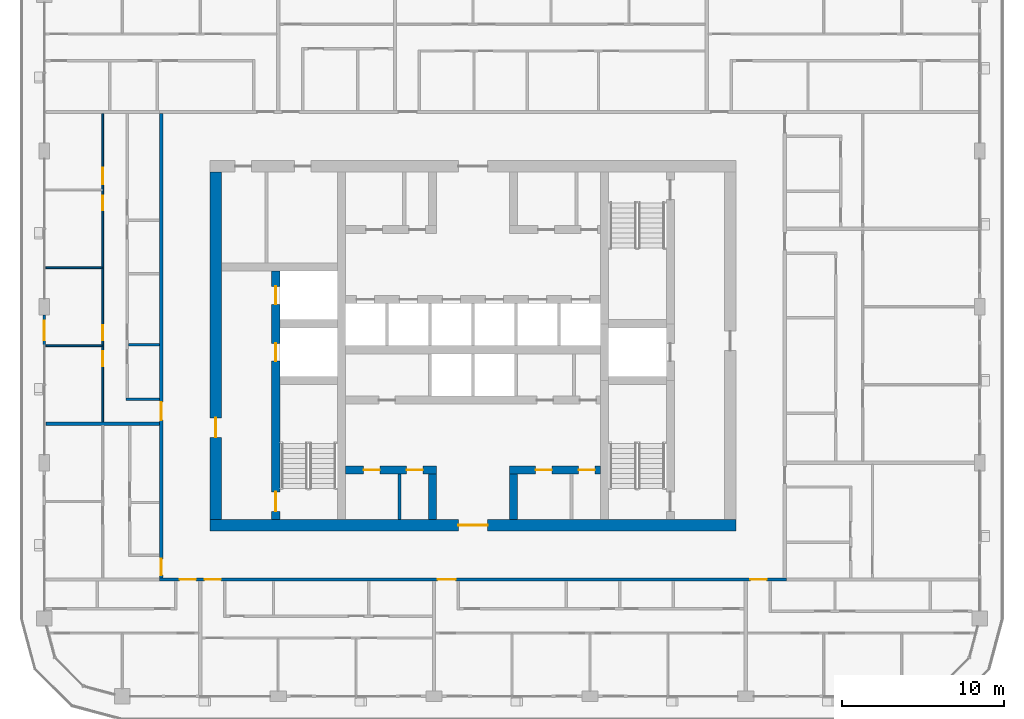
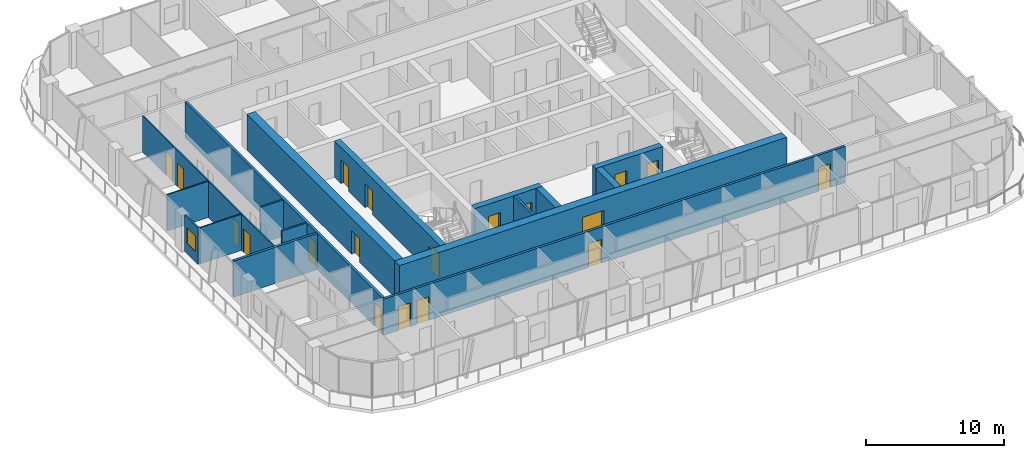
# One storey, part 10 of 23: 19 doors, 17 walls, 1 window, 20 openings.
"""IFC4 building model written with IfcOpenShell, lengths in metres."""

from ifc_helpers import new_model, si_unit, direction, frame, frame_2d, origin, place, context, subcontext, project, spatial, rectangle, extrude, material, layer, layer_set, type_object, element, fill, save


model = new_model("IFC4")

# Units and contexts
model_context = context("Model", 3, precision=1e-05, world=origin(), true_north=direction((0.0, 1.0)))
body_context = subcontext(model_context, "Body", "Model", "MODEL_VIEW")
ifc_project = project(units=[si_unit("LENGTHUNIT", "METRE"), si_unit("AREAUNIT", "SQUARE_METRE"), si_unit("VOLUMEUNIT", "CUBIC_METRE"), si_unit("PLANEANGLEUNIT", "RADIAN"), si_unit("MASSUNIT", "GRAM", prefix="KILO")], contexts=[model_context])

# Site, building, storey
site_placement = place(None, origin())
site = spatial("IfcSite", under=ifc_project, at=site_placement, CompositionType="ELEMENT")
building_placement = place(site_placement, origin())
building = spatial("IfcBuilding", under=site, at=building_placement, Name="Madar Terraces", CompositionType="ELEMENT")
storey_placement = place(building_placement, frame((0.0, 0.0, 226.300048828125)))
storey = spatial("IfcBuildingStorey", under=building, at=storey_placement, Name="L59", CompositionType="ELEMENT", Elevation=226.300048828125)

# Wall, openings, doors
ifc_material_1 = material(Name="Concrete C60/75", Category="concrete")
ifc_layer_1 = layer(ifc_material_1, 0.5)
ifc_layer_set_1 = layer_set([ifc_layer_1], Name="Concrete C60/75 (CIW4 RC wall 500)")
wall_type_1 = type_object("IfcWallType", Name="CIW4 RC wall 500", PredefinedType="SHEAR", material=ifc_layer_set_1)
wall_1_placement = place(storey_placement, frame((19.050048828125, 15.699951171875, 0.0), z_axis=(0.0, 0.0, 1.0), x_axis=(0.0, 1.0, 0.0)))
wall_1 = element("IfcWall", 1, at=wall_1_placement, inside=storey, type_object=wall_type_1, Name="CORE SHAFT WALL", PredefinedType="SHEAR", context=body_context, shape_type="SweptSolid", body=[
    extrude(rectangle(XDim=15.300048828125, YDim=0.5, at=frame_2d((7.64990234375, 0.0))), origin(), (0.0, 0.0, 1.0), 3.199951171875),
])
opening_1_placement = place(wall_1_placement, frame((9.75, 0.0, 0.0)))
opening_1 = element("IfcOpeningElement", 2, at=opening_1_placement, cuts=wall_1, Name="Opening LD", PredefinedType="OPENING", context=body_context, shape_type="SweptSolid", body=[
    extrude(rectangle(XDim=1.10009765625, YDim=2.10009765625, at=frame_2d((0.550048828125, 1.050048828125))), frame((0.0, 0.260009765625, 0.0), z_axis=(0.0, -1.0, 0.0), x_axis=(1.0, 0.0, 0.0)), (0.0, 0.0, 1.0), 0.52001953125),
])
opening_2_placement = place(wall_1_placement, frame((13.25, 0.0, 0.0)))
opening_2 = element("IfcOpeningElement", 3, at=opening_2_placement, cuts=wall_1, Name="Opening LD", PredefinedType="OPENING", context=body_context, shape_type="SweptSolid", body=[
    extrude(rectangle(XDim=1.10009765625, YDim=2.10009765625, at=frame_2d((0.550048828125, 1.050048828125))), frame((0.0, 0.260009765625, 0.0), z_axis=(0.0, -1.0, 0.0), x_axis=(1.0, 0.0, 0.0)), (0.0, 0.0, 1.0), 0.52001953125),
])
opening_3_placement = place(wall_1_placement, frame((0.5, 0.0, 0.0)))
opening_3 = element("IfcOpeningElement", 4, at=opening_3_placement, cuts=wall_1, Name="Opening SD1", PredefinedType="OPENING", context=body_context, shape_type="SweptSolid", body=[
    extrude(rectangle(XDim=1.199951171875, YDim=2.10009765625, at=frame_2d((0.60009765625, 1.050048828125))), frame((0.0, 0.260009765625, 0.0), z_axis=(0.0, -1.0, 0.0), x_axis=(1.0, 0.0, 0.0)), (0.0, 0.0, 1.0), 0.52001953125),
])
ifc_material_2 = material(Name="Stainless steel panel", Category="steel")
door_type_1 = type_object("IfcDoorType", Name="Lift landing door 1100 x 2100", OperationType="DOUBLE_DOOR_SLIDING", PredefinedType="DOOR", material=ifc_material_2)
door_1_placement = place(opening_1_placement, origin())
door_1 = element("IfcDoor", 5, at=door_1_placement, inside=storey, type_object=door_type_1, Name="LIFT LANDING DOOR", OperationType="DOUBLE_DOOR_SLIDING", OverallHeight=2.10009765625, OverallWidth=1.10009765625, PredefinedType="DOOR", context=body_context, shape_type="SweptSolid", body=[
    extrude(rectangle(XDim=1.10009765625, YDim=2.10009765625, at=frame_2d((0.550048828125, 1.050048828125))), frame((0.0, 0.02490234375, 0.0), z_axis=(0.0, -1.0, 0.0), x_axis=(1.0, 0.0, 0.0)), (0.0, 0.0, 1.0), 0.050048828125),
])
fill(opening_1, door_1)
door_2_placement = place(opening_2_placement, origin())
door_2 = element("IfcDoor", 6, at=door_2_placement, inside=storey, type_object=door_type_1, Name="LIFT LANDING DOOR", OperationType="DOUBLE_DOOR_SLIDING", OverallHeight=2.10009765625, OverallWidth=1.10009765625, PredefinedType="DOOR", context=body_context, shape_type="SweptSolid", body=[
    extrude(rectangle(XDim=1.10009765625, YDim=2.10009765625, at=frame_2d((0.550048828125, 1.050048828125))), frame((0.0, 0.02490234375, 0.0), z_axis=(0.0, -1.0, 0.0), x_axis=(1.0, 0.0, 0.0)), (0.0, 0.0, 1.0), 0.050048828125),
])
fill(opening_2, door_2)
ifc_material_3 = material(Name="Steel door leaf", Category="steel")
door_type_2 = type_object("IfcDoorType", Name="Stair door 1200 x 2100", OperationType="NOTDEFINED", PredefinedType="DOOR", material=ifc_material_3)
door_3_placement = place(opening_3_placement, frame((1.199951171875, 0.0, 0.0), z_axis=(0.0, 0.0, 1.0), x_axis=(-1.0, 0.0, 0.0)))
door_3 = element("IfcDoor", 7, at=door_3_placement, inside=storey, type_object=door_type_2, Name="STAIR DOOR", OperationType="SINGLE_SWING_LEFT", OverallHeight=2.10009765625, OverallWidth=1.199951171875, PredefinedType="DOOR", context=body_context, shape_type="SweptSolid", body=[
    extrude(rectangle(XDim=1.199951171875, YDim=2.10009765625, at=frame_2d((0.60009765625, 1.050048828125))), frame((0.0, 0.02490234375, 0.0), z_axis=(0.0, -1.0, 0.0), x_axis=(1.0, 0.0, 0.0)), (0.0, 0.0, 1.0), 0.050048828125),
])
fill(opening_3, door_3)

wall_2_placement = place(storey_placement, frame((23.35009765625, 18.75, 0.0), z_axis=(0.0, 0.0, 1.0), x_axis=(1.0, 0.0, 0.0)))
wall_2 = element("IfcWall", 8, at=wall_2_placement, inside=storey, type_object=wall_type_1, Name="CORE SHAFT WALL", PredefinedType="SHEAR", context=body_context, shape_type="SweptSolid", body=[
    extrude(rectangle(XDim=5.599853515625, YDim=0.5, at=frame_2d((2.7998046875, 0.0))), origin(), (0.0, 0.0, 1.0), 3.199951171875),
])
opening_4_placement = place(wall_2_placement, frame((1.107421875, 0.0, 0.0)))
opening_4 = element("IfcOpeningElement", 9, at=opening_4_placement, cuts=wall_2, Name="Opening KD2", PredefinedType="OPENING", context=body_context, shape_type="SweptSolid", body=[
    extrude(rectangle(XDim=1.0, YDim=2.10009765625, at=frame_2d((0.5, 1.050048828125))), frame((0.0, 0.260009765625, 0.0), z_axis=(0.0, -1.0, 0.0), x_axis=(1.0, 0.0, 0.0)), (0.0, 0.0, 1.0), 0.52001953125),
])
opening_5_placement = place(wall_2_placement, frame((3.757568359375, 0.0, 0.0)))
opening_5 = element("IfcOpeningElement", 10, at=opening_5_placement, cuts=wall_2, Name="Opening KD2", PredefinedType="OPENING", context=body_context, shape_type="SweptSolid", body=[
    extrude(rectangle(XDim=1.0, YDim=2.10009765625, at=frame_2d((0.5, 1.050048828125))), frame((0.0, 0.260009765625, 0.0), z_axis=(0.0, -1.0, 0.0), x_axis=(1.0, 0.0, 0.0)), (0.0, 0.0, 1.0), 0.52001953125),
])
ifc_material_4 = material(Name="Steel door leaf", Category="steel")
door_type_3 = type_object("IfcDoorType", Name="Service room door 1000 x 2100", OperationType="NOTDEFINED", PredefinedType="DOOR", material=ifc_material_4)
door_4_placement = place(opening_4_placement, origin())
door_4 = element("IfcDoor", 11, at=door_4_placement, inside=storey, type_object=door_type_3, Name="SERVICE ROOM DOOR", OperationType="SINGLE_SWING_LEFT", OverallHeight=2.10009765625, OverallWidth=1.0, PredefinedType="DOOR", context=body_context, shape_type="SweptSolid", body=[
    extrude(rectangle(XDim=1.0, YDim=2.10009765625, at=frame_2d((0.5, 1.050048828125))), frame((0.0, 0.02490234375, 0.0), z_axis=(0.0, -1.0, 0.0), x_axis=(1.0, 0.0, 0.0)), (0.0, 0.0, 1.0), 0.050048828125),
])
fill(opening_4, door_4)
door_5_placement = place(opening_5_placement, origin())
door_5 = element("IfcDoor", 12, at=door_5_placement, inside=storey, type_object=door_type_3, Name="SERVICE ROOM DOOR", OperationType="SINGLE_SWING_RIGHT", OverallHeight=2.10009765625, OverallWidth=1.0, PredefinedType="DOOR", context=body_context, shape_type="SweptSolid", body=[
    extrude(rectangle(XDim=1.0, YDim=2.10009765625, at=frame_2d((0.5, 1.050048828125))), frame((0.0, 0.02490234375, 0.0), z_axis=(0.0, -1.0, 0.0), x_axis=(1.0, 0.0, 0.0)), (0.0, 0.0, 1.0), 0.050048828125),
])
fill(opening_5, door_5)

wall_3_placement = place(storey_placement, frame((33.449951171875, 18.75, 0.0), z_axis=(0.0, 0.0, 1.0), x_axis=(1.0, 0.0, 0.0)))
wall_3 = element("IfcWall", 13, at=wall_3_placement, inside=storey, type_object=wall_type_1, Name="CORE SHAFT WALL", PredefinedType="SHEAR", context=body_context, shape_type="SweptSolid", body=[
    extrude(rectangle(XDim=5.60009765625, YDim=0.5, at=frame_2d((2.800048828125, 0.0))), origin(), (0.0, 0.0, 1.0), 3.199951171875),
])
opening_6_placement = place(wall_3_placement, frame((1.607421875, 0.0, 0.0)))
opening_6 = element("IfcOpeningElement", 14, at=opening_6_placement, cuts=wall_3, Name="Opening KD2", PredefinedType="OPENING", context=body_context, shape_type="SweptSolid", body=[
    extrude(rectangle(XDim=1.0, YDim=2.10009765625, at=frame_2d((0.5, 1.050048828125))), frame((0.0, 0.260009765625, 0.0), z_axis=(0.0, -1.0, 0.0), x_axis=(1.0, 0.0, 0.0)), (0.0, 0.0, 1.0), 0.52001953125),
])
opening_7_placement = place(wall_3_placement, frame((4.257568359375, 0.0, 0.0)))
opening_7 = element("IfcOpeningElement", 15, at=opening_7_placement, cuts=wall_3, Name="Opening KD2", PredefinedType="OPENING", context=body_context, shape_type="SweptSolid", body=[
    extrude(rectangle(XDim=1.0, YDim=2.10009765625, at=frame_2d((0.5, 1.050048828125))), frame((0.0, 0.260009765625, 0.0), z_axis=(0.0, -1.0, 0.0), x_axis=(1.0, 0.0, 0.0)), (0.0, 0.0, 1.0), 0.52001953125),
])
door_6_placement = place(opening_6_placement, origin())
door_6 = element("IfcDoor", 16, at=door_6_placement, inside=storey, type_object=door_type_3, Name="SERVICE ROOM DOOR", OperationType="SINGLE_SWING_LEFT", OverallHeight=2.10009765625, OverallWidth=1.0, PredefinedType="DOOR", context=body_context, shape_type="SweptSolid", body=[
    extrude(rectangle(XDim=1.0, YDim=2.10009765625, at=frame_2d((0.5, 1.050048828125))), frame((0.0, 0.02490234375, 0.0), z_axis=(0.0, -1.0, 0.0), x_axis=(1.0, 0.0, 0.0)), (0.0, 0.0, 1.0), 0.050048828125),
])
fill(opening_6, door_6)
door_7_placement = place(opening_7_placement, origin())
door_7 = element("IfcDoor", 17, at=door_7_placement, inside=storey, type_object=door_type_3, Name="SERVICE ROOM DOOR", OperationType="SINGLE_SWING_RIGHT", OverallHeight=2.10009765625, OverallWidth=1.0, PredefinedType="DOOR", context=body_context, shape_type="SweptSolid", body=[
    extrude(rectangle(XDim=1.0, YDim=2.10009765625, at=frame_2d((0.5, 1.050048828125))), frame((0.0, 0.02490234375, 0.0), z_axis=(0.0, -1.0, 0.0), x_axis=(1.0, 0.0, 0.0)), (0.0, 0.0, 1.0), 0.050048828125),
])
fill(opening_7, door_7)

# Walls
for number, where, z_axis, x_axis, name in (
    (18, (28.699951171875, 15.699951171875, 0.0), (0.0, 0.0, 1.0), (0.0, 1.0, 0.0), "CORE SHAFT WALL"),
    (19, (33.699951171875, 15.699951171875, 0.0), (0.0, 0.0, 1.0), (0.0, 1.0, 0.0), "CORE SHAFT WALL"),
):
    element("IfcWall", number, at=place(storey_placement, frame(where, z_axis=z_axis, x_axis=x_axis)), inside=storey, type_object=wall_type_1, Name=name, PredefinedType="SHEAR", context=body_context, shape_type="SweptSolid", body=[
        extrude(rectangle(XDim=2.800048828125, YDim=0.5, at=frame_2d((1.39990234375, 0.0))), origin(), (0.0, 0.0, 1.0), 3.199951171875),
    ])

# Wall, opening, door
ifc_material_5 = material(Name="Concrete C60/75", Category="concrete")
ifc_layer_2 = layer(ifc_material_5, 0.699951171875)
ifc_layer_set_2 = layer_set([ifc_layer_2], Name="Concrete C60/75 (CRW4 RC wall 700)")
wall_type_2 = type_object("IfcWallType", Name="CRW4 RC wall 700", PredefinedType="SHEAR", material=ifc_layer_set_2)
wall_4_placement = place(storey_placement, frame((15.0, 15.35009765625, 0.0), z_axis=(0.0, 0.0, 1.0), x_axis=(1.0, 0.0, 0.0)))
wall_4 = element("IfcWall", 20, at=wall_4_placement, inside=storey, type_object=wall_type_2, Name="CORE OUTER WALL", PredefinedType="SHEAR", context=body_context, shape_type="SweptSolid", body=[
    extrude(rectangle(XDim=32.39990234375, YDim=0.699951171875, at=frame_2d((16.199951171875, 0.0))), origin(), (0.0, 0.0, 1.0), 3.199951171875),
])
opening_8_placement = place(wall_4_placement, frame((15.300048828125, 0.0, 0.0)))
opening_8 = element("IfcOpeningElement", 21, at=opening_8_placement, cuts=wall_4, Name="Opening KD1", PredefinedType="OPENING", context=body_context, shape_type="SweptSolid", body=[
    extrude(rectangle(XDim=1.800048828125, YDim=2.10009765625, at=frame_2d((0.89990234375, 1.050048828125))), frame((0.0, 0.35986328125, 0.0), z_axis=(0.0, -1.0, 0.0), x_axis=(1.0, 0.0, 0.0)), (0.0, 0.0, 1.0), 0.719970703125),
])
ifc_material_6 = material(Name="Steel door leaf", Category="steel")
door_type_4 = type_object("IfcDoorType", Name="Lobby door pair 1800 x 2100", OperationType="DOUBLE_DOOR_SINGLE_SWING", PredefinedType="DOOR", material=ifc_material_6)
door_8_placement = place(opening_8_placement, frame((1.800048828125, 0.0, 0.0), z_axis=(0.0, 0.0, 1.0), x_axis=(-1.0, 0.0, 0.0)))
door_8 = element("IfcDoor", 22, at=door_8_placement, inside=storey, type_object=door_type_4, Name="LIFT LOBBY DOOR", OperationType="DOUBLE_DOOR_SINGLE_SWING", OverallHeight=2.10009765625, OverallWidth=1.800048828125, PredefinedType="DOOR", context=body_context, shape_type="SweptSolid", body=[
    extrude(rectangle(XDim=1.800048828125, YDim=2.10009765625, at=frame_2d((0.89990234375, 1.050048828125))), frame((0.0, 0.02490234375, 0.0), z_axis=(0.0, -1.0, 0.0), x_axis=(1.0, 0.0, 0.0)), (0.0, 0.0, 1.0), 0.050048828125),
])
fill(opening_8, door_8)

wall_5_placement = place(storey_placement, frame((15.35009765625, 15.699951171875, 0.0), z_axis=(0.0, 0.0, 1.0), x_axis=(0.0, 1.0, 0.0)))
wall_5 = element("IfcWall", 23, at=wall_5_placement, inside=storey, type_object=wall_type_2, Name="CORE OUTER WALL", PredefinedType="SHEAR", context=body_context, shape_type="SweptSolid", body=[
    extrude(rectangle(XDim=21.400146484375, YDim=0.699951171875, at=frame_2d((10.7001953125, 0.0))), origin(), (0.0, 0.0, 1.0), 3.199951171875),
])
opening_9_placement = place(wall_5_placement, frame((5.06005859375, 0.0, 0.0)))
opening_9 = element("IfcOpeningElement", 24, at=opening_9_placement, cuts=wall_5, Name="Opening SD1", PredefinedType="OPENING", context=body_context, shape_type="SweptSolid", body=[
    extrude(rectangle(XDim=1.199951171875, YDim=2.10009765625, at=frame_2d((0.60009765625, 1.050048828125))), frame((0.0, 0.35986328125, 0.0), z_axis=(0.0, -1.0, 0.0), x_axis=(1.0, 0.0, 0.0)), (0.0, 0.0, 1.0), 0.719970703125),
])
door_9_placement = place(opening_9_placement, frame((1.199951171875, 0.0, 0.0), z_axis=(0.0, 0.0, 1.0), x_axis=(-1.0, 0.0, 0.0)))
door_9 = element("IfcDoor", 25, at=door_9_placement, inside=storey, type_object=door_type_2, Name="STAIR DOOR", OperationType="SINGLE_SWING_RIGHT", OverallHeight=2.10009765625, OverallWidth=1.199951171875, PredefinedType="DOOR", context=body_context, shape_type="SweptSolid", body=[
    extrude(rectangle(XDim=1.199951171875, YDim=2.10009765625, at=frame_2d((0.60009765625, 1.050048828125))), frame((0.0, 0.02490234375, 0.0), z_axis=(0.0, -1.0, 0.0), x_axis=(1.0, 0.0, 0.0)), (0.0, 0.0, 1.0), 0.050048828125),
])
fill(opening_9, door_9)

# Wall
ifc_material_7 = material(Name="Masonry blockwork", Category="masonry")
ifc_layer_3 = layer(ifc_material_7, 0.199951171875)
ifc_layer_set_3 = layer_set([ifc_layer_3], Name="Core partition 200 blockwork")
wall_type_3 = type_object("IfcWallType", Name="Core partition 200 blockwork", PredefinedType="PARTITIONING", material=ifc_layer_set_3)
wall_6_placement = place(storey_placement, frame((26.6650390625, 15.699951171875, 0.0), z_axis=(0.0, 0.0, 1.0), x_axis=(0.0, 1.0, 0.0)))
element("IfcWall", 26, at=wall_6_placement, inside=storey, type_object=wall_type_3, Name="SERVICE ROOM PARTITION", PredefinedType="PARTITIONING", context=body_context, shape_type="SweptSolid", body=[
    extrude(rectangle(XDim=2.800048828125, YDim=0.199951171875, at=frame_2d((1.39990234375, 0.0))), origin(), (0.0, 0.0, 1.0), 3.199951171875),
])

# Wall, opening, window
ifc_material_8 = material(Name="Aluminium composite panel, black, over insulated backing", Category="aluminium")
ifc_layer_4 = layer(ifc_material_8, 0.14990234375)
ifc_layer_set_4 = layer_set([ifc_layer_4], Name="Facade bay panel 150")
wall_type_4 = type_object("IfcWallType", Name="Facade bay panel 150", PredefinedType="SOLIDWALL", material=ifc_layer_set_4)
wall_7_placement = place(storey_placement, frame((4.800048828125, 28.300048828125, 0.0), z_axis=(0.0, 0.0, 1.0), x_axis=(0.0, -1.0, 0.0)))
wall_7 = element("IfcWall", 27, at=wall_7_placement, inside=storey, type_object=wall_type_4, Name="Facade bay panel", PredefinedType="SOLIDWALL", context=body_context, shape_type="SweptSolid", body=[
    extrude(rectangle(XDim=1.900146484375, YDim=0.14990234375, at=frame_2d((0.9501953125, 0.0))), origin(), (0.0, 0.0, 1.0), 3.199951171875),
])
opening_10_placement = place(wall_7_placement, frame((0.35009765625, 0.0, 0.89990234375)))
opening_10 = element("IfcOpeningElement", 28, at=opening_10_placement, cuts=wall_7, Name="Opening W1", PredefinedType="OPENING", context=body_context, shape_type="SweptSolid", body=[
    extrude(rectangle(XDim=1.199951171875, YDim=1.39990234375, at=frame_2d((0.60009765625, 0.699951171875))), frame((0.0, 0.0849609375, 0.0), z_axis=(0.0, -1.0, 0.0), x_axis=(1.0, 0.0, 0.0)), (0.0, 0.0, 1.0), 0.169921875),
])
ifc_material_9 = material(Name="Glass, clear, with black aluminium frame", Category="aluminium")
window_type = type_object("IfcWindowType", Name="Vent window 1200 x 1400", PartitioningType="SINGLE_PANEL", PredefinedType="WINDOW", material=ifc_material_9)
window_placement = place(opening_10_placement, origin())
window = element("IfcWindow", 29, at=window_placement, inside=storey, type_object=window_type, Name="Operable vent window", OverallHeight=1.39990234375, OverallWidth=1.199951171875, PartitioningType="SINGLE_PANEL", PredefinedType="WINDOW", context=body_context, shape_type="SweptSolid", body=[
    extrude(rectangle(XDim=1.199951171875, YDim=1.39990234375, at=frame_2d((0.60009765625, 0.699951171875))), frame((0.0, 0.030029296875, 0.0), z_axis=(0.0, -1.0, 0.0), x_axis=(1.0, 0.0, 0.0)), (0.0, 0.0, 1.0), 0.06005859375),
])
fill(opening_10, window)

# Walls
ifc_material_10 = material(Name="Gypsum board on steel studs", Category="steel")
ifc_layer_5 = layer(ifc_material_10, 0.10009765625)
ifc_layer_set_5 = layer_set([ifc_layer_5], Name="Flat partition 100")
wall_type_5 = type_object("IfcWallType", Name="Flat partition 100", PredefinedType="PARTITIONING", material=ifc_layer_set_5)
for number, where, z_axis, x_axis, name in (
    (30, (8.35009765625, 26.39990234375, 0.0), (0.0, 0.0, 1.0), (-1.0, 0.0, 0.0), "Flat partition 100"),
    (31, (8.35009765625, 31.199951171875, 0.0), (0.0, 0.0, 1.0), (-1.0, 0.0, 0.0), "Flat partition 100"),
):
    element("IfcWall", number, at=place(storey_placement, frame(where, z_axis=z_axis, x_axis=x_axis)), inside=storey, type_object=wall_type_5, Name=name, PredefinedType="PARTITIONING", context=body_context, shape_type="SweptSolid", body=[
        extrude(rectangle(XDim=3.4501953125, YDim=0.10009765625, at=frame_2d((1.72509765625, 0.0))), origin(), (0.0, 0.0, 1.0), 3.199951171875),
    ])

# Wall, openings, doors
wall_8_placement = place(storey_placement, frame((8.39990234375, 21.699951171875, 0.0), z_axis=(0.0, 0.0, 1.0), x_axis=(0.0, 1.0, 0.0)))
wall_8 = element("IfcWall", 32, at=wall_8_placement, inside=storey, type_object=wall_type_5, Name="Flat partition 100", PredefinedType="PARTITIONING", context=body_context, shape_type="SweptSolid", body=[
    extrude(rectangle(XDim=19.0, YDim=0.10009765625, at=frame_2d((9.5, 0.0))), origin(), (0.0, 0.0, 1.0), 3.199951171875),
])
opening_11_placement = place(wall_8_placement, frame((3.449951171875, 0.0, 0.0)))
opening_11 = element("IfcOpeningElement", 33, at=opening_11_placement, cuts=wall_8, Name="Opening D2", PredefinedType="OPENING", context=body_context, shape_type="SweptSolid", body=[
    extrude(rectangle(XDim=0.89990234375, YDim=2.10009765625, at=frame_2d((0.449951171875, 1.050048828125))), frame((0.0, 0.06005859375, 0.0), z_axis=(0.0, -1.0, 0.0), x_axis=(1.0, 0.0, 0.0)), (0.0, 0.0, 1.0), 0.1201171875),
])
opening_12_placement = place(wall_8_placement, frame((5.050048828125, 0.0, 0.0)))
opening_12 = element("IfcOpeningElement", 34, at=opening_12_placement, cuts=wall_8, Name="Opening D2", PredefinedType="OPENING", context=body_context, shape_type="SweptSolid", body=[
    extrude(rectangle(XDim=0.89990234375, YDim=2.10009765625, at=frame_2d((0.449951171875, 1.050048828125))), frame((0.0, 0.06005859375, 0.0), z_axis=(0.0, -1.0, 0.0), x_axis=(1.0, 0.0, 0.0)), (0.0, 0.0, 1.0), 0.1201171875),
])
opening_13_placement = place(wall_8_placement, frame((13.050048828125, 0.0, 0.0)))
opening_13 = element("IfcOpeningElement", 35, at=opening_13_placement, cuts=wall_8, Name="Opening D2", PredefinedType="OPENING", context=body_context, shape_type="SweptSolid", body=[
    extrude(rectangle(XDim=0.89990234375, YDim=2.10009765625, at=frame_2d((0.449951171875, 1.050048828125))), frame((0.0, 0.06005859375, 0.0), z_axis=(0.0, -1.0, 0.0), x_axis=(1.0, 0.0, 0.0)), (0.0, 0.0, 1.0), 0.1201171875),
])
opening_14_placement = place(wall_8_placement, frame((14.64990234375, 0.0, 0.0)))
opening_14 = element("IfcOpeningElement", 36, at=opening_14_placement, cuts=wall_8, Name="Opening D3", PredefinedType="OPENING", context=body_context, shape_type="SweptSolid", body=[
    extrude(rectangle(XDim=1.0, YDim=2.10009765625, at=frame_2d((0.5, 1.050048828125))), frame((0.0, 0.06005859375, 0.0), z_axis=(0.0, -1.0, 0.0), x_axis=(1.0, 0.0, 0.0)), (0.0, 0.0, 1.0), 0.1201171875),
])
ifc_material_11 = material(Name="Timber door leaf", Category="wood")
door_type_5 = type_object("IfcDoorType", Name="Flat living room door 1000", OperationType="NOTDEFINED", PredefinedType="DOOR", material=ifc_material_11)
door_10_placement = place(opening_14_placement, origin())
door_10 = element("IfcDoor", 37, at=door_10_placement, inside=storey, type_object=door_type_5, Name="Flat living room door 1000", OperationType="SINGLE_SWING_LEFT", OverallHeight=2.10009765625, OverallWidth=1.0, PredefinedType="DOOR", context=body_context, shape_type="SweptSolid", body=[
    extrude(rectangle(XDim=1.0, YDim=2.10009765625, at=frame_2d((0.5, 1.050048828125))), frame((0.0, 0.02490234375, 0.0), z_axis=(0.0, -1.0, 0.0), x_axis=(1.0, 0.0, 0.0)), (0.0, 0.0, 1.0), 0.050048828125),
])
fill(opening_14, door_10)
ifc_material_12 = material(Name="Timber door leaf", Category="wood")
door_type_6 = type_object("IfcDoorType", Name="Flat room door 900", OperationType="NOTDEFINED", PredefinedType="DOOR", material=ifc_material_12)
door_11_placement = place(opening_11_placement, origin())
door_11 = element("IfcDoor", 38, at=door_11_placement, inside=storey, type_object=door_type_6, Name="Flat room door 900", OperationType="SINGLE_SWING_RIGHT", OverallHeight=2.10009765625, OverallWidth=0.89990234375, PredefinedType="DOOR", context=body_context, shape_type="SweptSolid", body=[
    extrude(rectangle(XDim=0.89990234375, YDim=2.10009765625, at=frame_2d((0.449951171875, 1.050048828125))), frame((0.0, 0.02490234375, 0.0), z_axis=(0.0, -1.0, 0.0), x_axis=(1.0, 0.0, 0.0)), (0.0, 0.0, 1.0), 0.050048828125),
])
fill(opening_11, door_11)
door_12_placement = place(opening_12_placement, origin())
door_12 = element("IfcDoor", 39, at=door_12_placement, inside=storey, type_object=door_type_6, Name="Flat room door 900", OperationType="SINGLE_SWING_LEFT", OverallHeight=2.10009765625, OverallWidth=0.89990234375, PredefinedType="DOOR", context=body_context, shape_type="SweptSolid", body=[
    extrude(rectangle(XDim=0.89990234375, YDim=2.10009765625, at=frame_2d((0.449951171875, 1.050048828125))), frame((0.0, 0.02490234375, 0.0), z_axis=(0.0, -1.0, 0.0), x_axis=(1.0, 0.0, 0.0)), (0.0, 0.0, 1.0), 0.050048828125),
])
fill(opening_12, door_12)
door_13_placement = place(opening_13_placement, origin())
door_13 = element("IfcDoor", 40, at=door_13_placement, inside=storey, type_object=door_type_6, Name="Flat room door 900", OperationType="SINGLE_SWING_RIGHT", OverallHeight=2.10009765625, OverallWidth=0.89990234375, PredefinedType="DOOR", context=body_context, shape_type="SweptSolid", body=[
    extrude(rectangle(XDim=0.89990234375, YDim=2.10009765625, at=frame_2d((0.449951171875, 1.050048828125))), frame((0.0, 0.02490234375, 0.0), z_axis=(0.0, -1.0, 0.0), x_axis=(1.0, 0.0, 0.0)), (0.0, 0.0, 1.0), 0.050048828125),
])
fill(opening_13, door_13)

ifc_material_13 = material(Name="Lightweight blockwork", Category="masonry")
ifc_layer_6 = layer(ifc_material_13, 0.199951171875)
ifc_layer_set_6 = layer_set([ifc_layer_6], Name="Flat party and entrance wall 200")
wall_type_6 = type_object("IfcWallType", Name="Flat party and entrance wall 200", PredefinedType="PARTITIONING", material=ifc_layer_set_6)
wall_9_placement = place(storey_placement, frame((50.5, 12.0, 0.0), z_axis=(0.0, 0.0, 1.0), x_axis=(-1.0, 0.0, 0.0)))
wall_9 = element("IfcWall", 41, at=wall_9_placement, inside=storey, type_object=wall_type_6, Name="Flat party and entrance wall 200", PredefinedType="PARTITIONING", context=body_context, shape_type="SweptSolid", body=[
    extrude(rectangle(XDim=38.60009765625, YDim=0.199951171875, at=frame_2d((19.300048828125, 0.0))), origin(), (0.0, 0.0, 1.0), 3.199951171875),
])
opening_15_placement = place(wall_9_placement, frame((36.375, 0.0, 0.0)))
opening_15 = element("IfcOpeningElement", 42, at=opening_15_placement, cuts=wall_9, Name="Opening D1", PredefinedType="OPENING", context=body_context, shape_type="SweptSolid", body=[
    extrude(rectangle(XDim=1.0, YDim=2.10009765625, at=frame_2d((0.5, 1.050048828125))), frame((0.0, 0.10986328125, 0.0), z_axis=(0.0, -1.0, 0.0), x_axis=(1.0, 0.0, 0.0)), (0.0, 0.0, 1.0), 0.219970703125),
])
opening_16_placement = place(wall_9_placement, frame((34.824951171875, 0.0, 0.0)))
opening_16 = element("IfcOpeningElement", 43, at=opening_16_placement, cuts=wall_9, Name="Opening D1", PredefinedType="OPENING", context=body_context, shape_type="SweptSolid", body=[
    extrude(rectangle(XDim=1.0, YDim=2.10009765625, at=frame_2d((0.5, 1.050048828125))), frame((0.0, 0.10986328125, 0.0), z_axis=(0.0, -1.0, 0.0), x_axis=(1.0, 0.0, 0.0)), (0.0, 0.0, 1.0), 0.219970703125),
])
opening_17_placement = place(wall_9_placement, frame((20.375, 0.0, 0.0)))
opening_17 = element("IfcOpeningElement", 44, at=opening_17_placement, cuts=wall_9, Name="Opening D6", PredefinedType="OPENING", context=body_context, shape_type="SweptSolid", body=[
    extrude(rectangle(XDim=1.10009765625, YDim=2.10009765625, at=frame_2d((0.550048828125, 1.050048828125))), frame((0.0, 0.10986328125, 0.0), z_axis=(0.0, -1.0, 0.0), x_axis=(1.0, 0.0, 0.0)), (0.0, 0.0, 1.0), 0.219970703125),
])
opening_18_placement = place(wall_9_placement, frame((1.22509765625, 0.0, 0.0)))
opening_18 = element("IfcOpeningElement", 45, at=opening_18_placement, cuts=wall_9, Name="Opening D1", PredefinedType="OPENING", context=body_context, shape_type="SweptSolid", body=[
    extrude(rectangle(XDim=1.0, YDim=2.10009765625, at=frame_2d((0.5, 1.050048828125))), frame((0.0, 0.10986328125, 0.0), z_axis=(0.0, -1.0, 0.0), x_axis=(1.0, 0.0, 0.0)), (0.0, 0.0, 1.0), 0.219970703125),
])
ifc_material_14 = material(Name="Timber fire door leaf", Category="wood")
door_type_7 = type_object("IfcDoorType", Name="Flat entrance door 1000 FD30S", OperationType="NOTDEFINED", PredefinedType="DOOR", material=ifc_material_14)
door_14_placement = place(opening_15_placement, origin())
door_14 = element("IfcDoor", 46, at=door_14_placement, inside=storey, type_object=door_type_7, Name="Flat entrance door 1000 FD30S", OperationType="SINGLE_SWING_LEFT", OverallHeight=2.10009765625, OverallWidth=1.0, PredefinedType="DOOR", context=body_context, shape_type="SweptSolid", body=[
    extrude(rectangle(XDim=1.0, YDim=2.10009765625, at=frame_2d((0.5, 1.050048828125))), frame((0.0, 0.02490234375, 0.0), z_axis=(0.0, -1.0, 0.0), x_axis=(1.0, 0.0, 0.0)), (0.0, 0.0, 1.0), 0.050048828125),
])
fill(opening_15, door_14)
door_15_placement = place(opening_16_placement, origin())
door_15 = element("IfcDoor", 47, at=door_15_placement, inside=storey, type_object=door_type_7, Name="Flat entrance door 1000 FD30S", OperationType="SINGLE_SWING_RIGHT", OverallHeight=2.10009765625, OverallWidth=1.0, PredefinedType="DOOR", context=body_context, shape_type="SweptSolid", body=[
    extrude(rectangle(XDim=1.0, YDim=2.10009765625, at=frame_2d((0.5, 1.050048828125))), frame((0.0, 0.02490234375, 0.0), z_axis=(0.0, -1.0, 0.0), x_axis=(1.0, 0.0, 0.0)), (0.0, 0.0, 1.0), 0.050048828125),
])
fill(opening_16, door_15)
door_16_placement = place(opening_18_placement, origin())
door_16 = element("IfcDoor", 48, at=door_16_placement, inside=storey, type_object=door_type_7, Name="Flat entrance door 1000 FD30S", OperationType="SINGLE_SWING_RIGHT", OverallHeight=2.10009765625, OverallWidth=1.0, PredefinedType="DOOR", context=body_context, shape_type="SweptSolid", body=[
    extrude(rectangle(XDim=1.0, YDim=2.10009765625, at=frame_2d((0.5, 1.050048828125))), frame((0.0, 0.02490234375, 0.0), z_axis=(0.0, -1.0, 0.0), x_axis=(1.0, 0.0, 0.0)), (0.0, 0.0, 1.0), 0.050048828125),
])
fill(opening_18, door_16)
ifc_material_15 = material(Name="Timber fire door leaf", Category="wood")
door_type_8 = type_object("IfcDoorType", Name="Flat entrance door 1100 FD30S", OperationType="NOTDEFINED", PredefinedType="DOOR", material=ifc_material_15)
door_17_placement = place(opening_17_placement, origin())
door_17 = element("IfcDoor", 49, at=door_17_placement, inside=storey, type_object=door_type_8, Name="Flat entrance door 1100 FD30S", OperationType="SINGLE_SWING_RIGHT", OverallHeight=2.10009765625, OverallWidth=1.10009765625, PredefinedType="DOOR", context=body_context, shape_type="SweptSolid", body=[
    extrude(rectangle(XDim=1.10009765625, YDim=2.10009765625, at=frame_2d((0.550048828125, 1.050048828125))), frame((0.0, 0.02490234375, 0.0), z_axis=(0.0, -1.0, 0.0), x_axis=(1.0, 0.0, 0.0)), (0.0, 0.0, 1.0), 0.050048828125),
])
fill(opening_17, door_17)

wall_10_placement = place(storey_placement, frame((12.0, 12.10009765625, 0.0), z_axis=(0.0, 0.0, 1.0), x_axis=(0.0, 1.0, 0.0)))
wall_10 = element("IfcWall", 50, at=wall_10_placement, inside=storey, type_object=wall_type_6, Name="Flat party and entrance wall 200", PredefinedType="PARTITIONING", context=body_context, shape_type="SweptSolid", body=[
    extrude(rectangle(XDim=28.599853515625, YDim=0.199951171875, at=frame_2d((14.2998046875, 0.0))), origin(), (0.0, 0.0, 1.0), 3.199951171875),
])
opening_19_placement = place(wall_10_placement, frame((9.72509765625, 0.0, 0.0)))
opening_19 = element("IfcOpeningElement", 51, at=opening_19_placement, cuts=wall_10, Name="Opening D6", PredefinedType="OPENING", context=body_context, shape_type="SweptSolid", body=[
    extrude(rectangle(XDim=1.10009765625, YDim=2.10009765625, at=frame_2d((0.550048828125, 1.050048828125))), frame((0.0, 0.10986328125, 0.0), z_axis=(0.0, -1.0, 0.0), x_axis=(1.0, 0.0, 0.0)), (0.0, 0.0, 1.0), 0.219970703125),
])
opening_20_placement = place(wall_10_placement, frame((0.175048828125, 0.0, 0.0)))
opening_20 = element("IfcOpeningElement", 52, at=opening_20_placement, cuts=wall_10, Name="Opening D1", PredefinedType="OPENING", context=body_context, shape_type="SweptSolid", body=[
    extrude(rectangle(XDim=1.0, YDim=2.10009765625, at=frame_2d((0.5, 1.050048828125))), frame((0.0, 0.10986328125, 0.0), z_axis=(0.0, -1.0, 0.0), x_axis=(1.0, 0.0, 0.0)), (0.0, 0.0, 1.0), 0.219970703125),
])
door_18_placement = place(opening_20_placement, origin())
door_18 = element("IfcDoor", 53, at=door_18_placement, inside=storey, type_object=door_type_7, Name="Flat entrance door 1000 FD30S", OperationType="SINGLE_SWING_LEFT", OverallHeight=2.10009765625, OverallWidth=1.0, PredefinedType="DOOR", context=body_context, shape_type="SweptSolid", body=[
    extrude(rectangle(XDim=1.0, YDim=2.10009765625, at=frame_2d((0.5, 1.050048828125))), frame((0.0, 0.02490234375, 0.0), z_axis=(0.0, -1.0, 0.0), x_axis=(1.0, 0.0, 0.0)), (0.0, 0.0, 1.0), 0.050048828125),
])
fill(opening_20, door_18)
door_19_placement = place(opening_19_placement, origin())
door_19 = element("IfcDoor", 54, at=door_19_placement, inside=storey, type_object=door_type_8, Name="Flat entrance door 1100 FD30S", OperationType="SINGLE_SWING_LEFT", OverallHeight=2.10009765625, OverallWidth=1.10009765625, PredefinedType="DOOR", context=body_context, shape_type="SweptSolid", body=[
    extrude(rectangle(XDim=1.10009765625, YDim=2.10009765625, at=frame_2d((0.550048828125, 1.050048828125))), frame((0.0, 0.02490234375, 0.0), z_axis=(0.0, -1.0, 0.0), x_axis=(1.0, 0.0, 0.0)), (0.0, 0.0, 1.0), 0.050048828125),
])
fill(opening_19, door_19)

# Walls
wall_11_placement = place(storey_placement, frame((4.89990234375, 21.60009765625, 0.0), z_axis=(0.0, 0.0, 1.0), x_axis=(1.0, 0.0, 0.0)))
element("IfcWall", 55, at=wall_11_placement, inside=storey, type_object=wall_type_6, Name="Flat party and entrance wall 200", PredefinedType="PARTITIONING", context=body_context, shape_type="SweptSolid", body=[
    extrude(rectangle(XDim=7.0, YDim=0.199951171875, at=frame_2d((3.5, 0.0))), origin(), (0.0, 0.0, 1.0), 3.199951171875),
])
ifc_material_16 = material(Name="Lightweight blockwork", Category="masonry")
ifc_layer_7 = layer(ifc_material_16, 0.14990234375)
ifc_layer_set_7 = layer_set([ifc_layer_7], Name="Flat wet-room partition 150")
wall_type_7 = type_object("IfcWallType", Name="Flat wet-room partition 150", PredefinedType="PARTITIONING", material=ifc_layer_set_7)
wall_12_placement = place(storey_placement, frame((11.89990234375, 26.4609375, 0.0), z_axis=(0.0, 0.0, 1.0), x_axis=(-1.0, 0.0, 0.0)))
element("IfcWall", 56, at=wall_12_placement, inside=storey, type_object=wall_type_7, Name="Flat wet-room partition 150", PredefinedType="PARTITIONING", context=body_context, shape_type="SweptSolid", body=[
    extrude(rectangle(XDim=1.9248046875, YDim=0.14990234375, at=frame_2d((0.96240234375, 0.0))), origin(), (0.0, 0.0, 1.0), 3.199951171875),
])
wall_13_placement = place(storey_placement, frame((11.89990234375, 23.10009765625, 0.0), z_axis=(0.0, 0.0, 1.0), x_axis=(-1.0, 0.0, 0.0)))
element("IfcWall", 57, at=wall_13_placement, inside=storey, type_object=wall_type_7, Name="Flat wet-room partition 150", PredefinedType="PARTITIONING", context=body_context, shape_type="SweptSolid", body=[
    extrude(rectangle(XDim=2.074951171875, YDim=0.14990234375, at=frame_2d((1.03759765625, 0.0))), origin(), (0.0, 0.0, 1.0), 3.199951171875),
])

save(model, "model.ifc")
